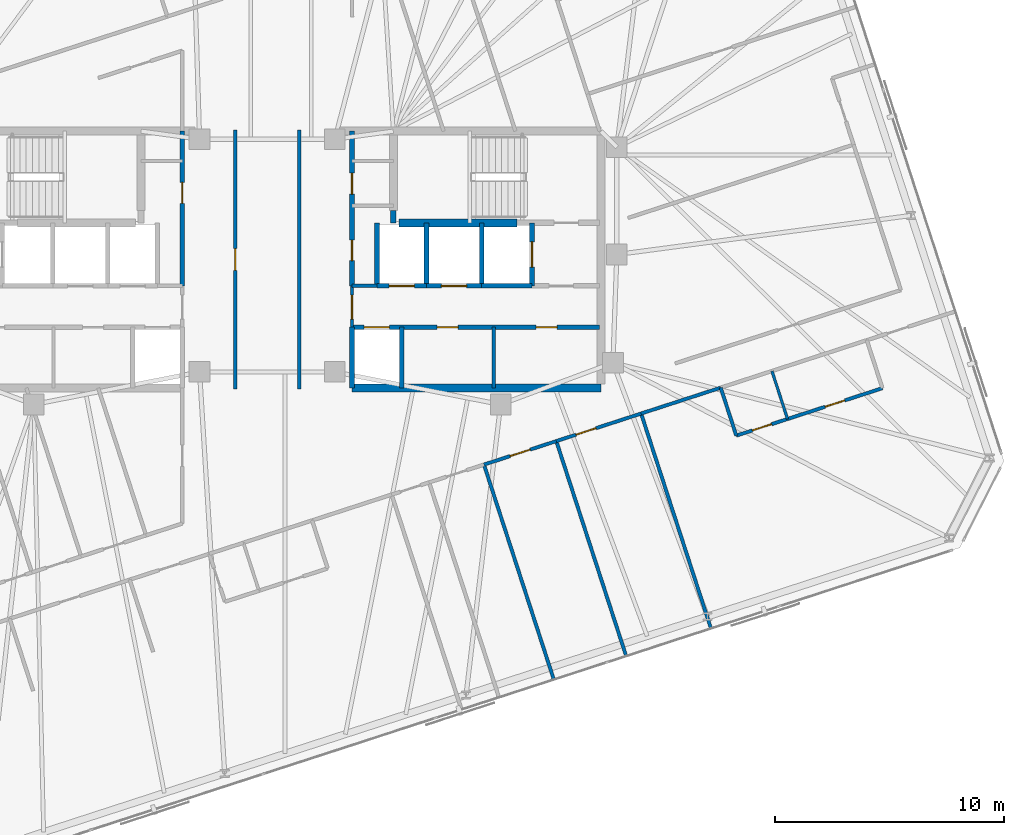
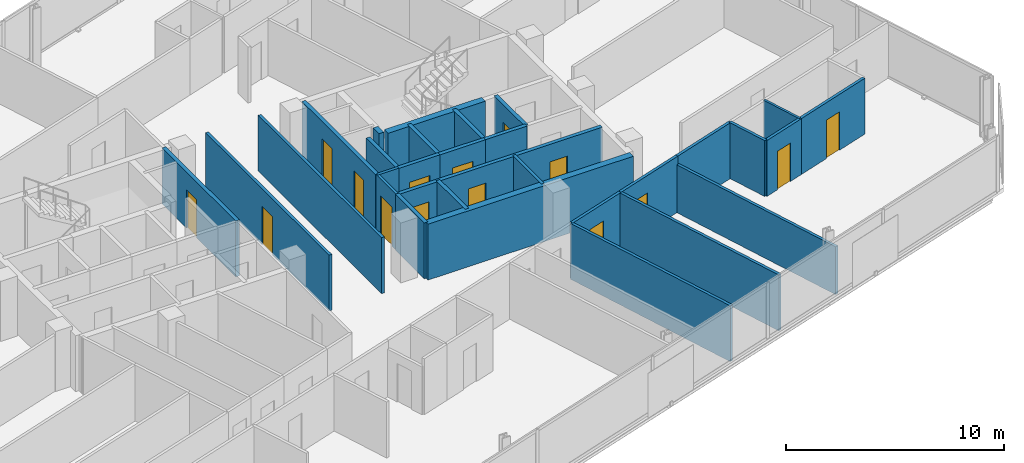
# One storey, part 15 of 19: 30 walls, 15 doors, 15 openings.
"""IFC4 building model written with IfcOpenShell, lengths in metres."""

from ifc_helpers import new_model, si_unit, direction, frame, frame_2d, origin, place, context, subcontext, project, spatial, rectangle, extrude, material, layer, layer_set, type_object, element, fill, save


model = new_model("IFC4")

# Units and contexts
model_context = context("Model", 3, precision=1e-05, world=origin(), true_north=direction((0.0, 1.0)))
body_context = subcontext(model_context, "Body", "Model", "MODEL_VIEW")
ifc_project = project(units=[si_unit("LENGTHUNIT", "METRE"), si_unit("AREAUNIT", "SQUARE_METRE"), si_unit("VOLUMEUNIT", "CUBIC_METRE"), si_unit("PLANEANGLEUNIT", "RADIAN"), si_unit("MASSUNIT", "GRAM", prefix="KILO")], contexts=[model_context])

# Site, building, storey
site_placement = place(None, origin())
site = spatial("IfcSite", under=ifc_project, at=site_placement, CompositionType="ELEMENT")
building_placement = place(site_placement, origin())
building = spatial("IfcBuilding", under=site, at=building_placement, Name="Menara Jurai Vektor", CompositionType="ELEMENT")
storey_placement = place(building_placement, frame((0.0, 0.0, 214.25)))
storey = spatial("IfcBuildingStorey", under=building, at=storey_placement, Name="L56", CompositionType="ELEMENT", Elevation=214.25)

# Wall
ifc_material_1 = material(Name="Concrete C40/50", Category="concrete")
ifc_layer_1 = layer(ifc_material_1, 0.25)
ifc_layer_set_1 = layer_set([ifc_layer_1], Name="Concrete C40/50")
wall_type_1 = type_object("IfcWallType", Name="INT-WALL-CORE-250", PredefinedType="STANDARD", material=ifc_layer_set_1)
wall_1_placement = place(storey_placement, frame((5.5, 1.60009765625, 0.0), z_axis=(0.0, 0.0, 1.0), x_axis=(0.0, 1.0, 0.0)))
element("IfcWall", 1, at=wall_1_placement, inside=storey, type_object=wall_type_1, Name="Interior Wall IW-250 L56", PredefinedType="STANDARD", context=body_context, shape_type="SweptSolid", body=[
    extrude(rectangle(XDim=0.5498046875, YDim=0.25, at=frame_2d((0.27490234375, 0.0))), origin(), (0.0, 0.0, 1.0), 3.125),
])

# Wall, opening, door
wall_2_placement = place(storey_placement, frame((11.550048828125, -1.14990234375, 0.0), z_axis=(0.0, 0.0, 1.0), x_axis=(0.0, 1.0, 0.0)))
wall_2 = element("IfcWall", 2, at=wall_2_placement, inside=storey, type_object=wall_type_1, Name="Interior Wall IW-250 L56", PredefinedType="STANDARD", context=body_context, shape_type="SweptSolid", body=[
    extrude(rectangle(XDim=2.75, YDim=0.199951171875, at=frame_2d((1.375, 0.0))), origin(), (0.0, 0.0, 1.0), 3.125),
])
opening_1_placement = place(wall_2_placement, frame((0.824951171875, 0.0, 0.0)))
opening_1 = element("IfcOpeningElement", 3, at=opening_1_placement, cuts=wall_2, Name="Opening LD-L56-FL2", PredefinedType="OPENING", context=body_context, shape_type="SweptSolid", body=[
    extrude(rectangle(XDim=1.10009765625, YDim=2.14990234375, at=frame_2d((0.550048828125, 1.074951171875))), frame((0.0, 0.10986328125, 0.0), z_axis=(0.0, -1.0, 0.0), x_axis=(1.0, 0.0, 0.0)), (0.0, 0.0, 1.0), 0.219970703125),
])
ifc_material_2 = material(Name="Stainless Steel Sliding Lift Landing Door", Category="steel")
door_type_1 = type_object("IfcDoorType", Name="DR-LIFT-FIRE-1100", OperationType="NOTDEFINED", PredefinedType="DOOR", material=ifc_material_2)
door_1_placement = place(opening_1_placement, origin())
door_1 = element("IfcDoor", 4, at=door_1_placement, inside=storey, type_object=door_type_1, Name="Lift Landing Door FL2 L56", OperationType="SLIDING_TO_RIGHT", OverallHeight=2.14990234375, OverallWidth=1.10009765625, PredefinedType="DOOR", context=body_context, shape_type="SweptSolid", body=[
    extrude(rectangle(XDim=1.10009765625, YDim=2.14990234375, at=frame_2d((0.550048828125, 1.074951171875))), frame((0.0, 0.02490234375, 0.0), z_axis=(0.0, -1.0, 0.0), x_axis=(1.0, 0.0, 0.0)), (0.0, 0.0, 1.0), 0.050048828125),
])
fill(opening_1, door_1)

# Walls
wall_3_placement = place(storey_placement, frame((9.35009765625, -1.14990234375, 0.0), z_axis=(0.0, 0.0, 1.0), x_axis=(0.0, 1.0, 0.0)))
element("IfcWall", 5, at=wall_3_placement, inside=storey, type_object=wall_type_1, Name="Interior Wall IW-250 L56", PredefinedType="STANDARD", context=body_context, shape_type="SweptSolid", body=[
    extrude(rectangle(XDim=2.75, YDim=0.199951171875, at=frame_2d((1.375, 0.0))), origin(), (0.0, 0.0, 1.0), 3.125),
])
wall_4_placement = place(storey_placement, frame((9.35009765625, -1.14990234375, 0.0), z_axis=(0.0, 0.0, 1.0), x_axis=(1.0, 0.0, 0.0)))
element("IfcWall", 6, at=wall_4_placement, inside=storey, type_object=wall_type_1, Name="Interior Wall IW-250 L56", PredefinedType="STANDARD", context=body_context, shape_type="SweptSolid", body=[
    extrude(rectangle(XDim=2.199951171875, YDim=0.199951171875, at=frame_2d((1.10009765625, 0.0))), origin(), (0.0, 0.0, 1.0), 3.125),
])

# Wall, opening, door
ifc_material_3 = material(Name="Gypsum Fireboard Partition", Category="gypsum")
ifc_layer_2 = layer(ifc_material_3, 0.14990234375)
ifc_layer_set_2 = layer_set([ifc_layer_2], Name="Gypsum Fireboard Partition")
wall_type_2 = type_object("IfcWallType", Name="INT-WALL-CORR-150", PredefinedType="PARTITIONING", material=ifc_layer_set_2)
wall_5_placement = place(storey_placement, frame((3.699951171875, -2.949951171875, 0.0), z_axis=(0.0, 0.0, 1.0), x_axis=(0.0, 1.0, 0.0)))
wall_5 = element("IfcWall", 7, at=wall_5_placement, inside=storey, type_object=wall_type_2, Name="Interior Wall IW-150 L56", PredefinedType="PARTITIONING", context=body_context, shape_type="SweptSolid", body=[
    extrude(rectangle(XDim=1.800048828125, YDim=0.14990234375, at=frame_2d((0.89990234375, 0.0))), origin(), (0.0, 0.0, 1.0), 3.125),
])
opening_2_placement = place(wall_5_placement, frame((0.35009765625, 0.0, 0.0)))
opening_2 = element("IfcOpeningElement", 8, at=opening_2_placement, cuts=wall_5, Name="Opening D-L56-LLE", PredefinedType="OPENING", context=body_context, shape_type="SweptSolid", body=[
    extrude(rectangle(XDim=1.050048828125, YDim=2.179931640625, at=frame_2d((0.52490234375, 1.08984375))), frame((0.0, 0.0849609375, 0.0), z_axis=(0.0, -1.0, 0.0), x_axis=(1.0, 0.0, 0.0)), (0.0, 0.0, 1.0), 0.169921875),
])
ifc_material_4 = material(Name="Fire-Rated Timber Door", Category="wood")
door_type_2 = type_object("IfcDoorType", Name="DR-LOBBY-1050", OperationType="NOTDEFINED", PredefinedType="DOOR", material=ifc_material_4)
door_2_placement = place(opening_2_placement, frame((1.050048828125, 0.0, 0.0), z_axis=(0.0, 0.0, 1.0), x_axis=(-1.0, 0.0, 0.0)))
door_2 = element("IfcDoor", 9, at=door_2_placement, inside=storey, type_object=door_type_2, Name="Lift Lobby Corridor Door E L56", OperationType="SINGLE_SWING_RIGHT", OverallHeight=2.179931640625, OverallWidth=1.050048828125, PredefinedType="DOOR", context=body_context, shape_type="SweptSolid", body=[
    extrude(rectangle(XDim=1.050048828125, YDim=2.179931640625, at=frame_2d((0.52490234375, 1.08984375))), frame((0.0, 0.02490234375, 0.0), z_axis=(0.0, -1.0, 0.0), x_axis=(1.0, 0.0, 0.0)), (0.0, 0.0, 1.0), 0.050048828125),
])
fill(opening_2, door_2)

# Walls
wall_6_placement = place(storey_placement, frame((3.699951171875, -1.14990234375, 0.0), z_axis=(0.0, 0.0, 1.0), x_axis=(1.0, 0.0, 0.0)))
element("IfcWall", 10, at=wall_6_placement, inside=storey, type_object=wall_type_2, Name="Interior Wall IW-150 L56", PredefinedType="PARTITIONING", context=body_context, shape_type="SweptSolid", body=[
    extrude(rectangle(XDim=1.090087890625, YDim=0.14990234375, at=frame_2d((0.544921875, 0.0))), origin(), (0.0, 0.0, 1.0), 3.125),
])
wall_7_placement = place(storey_placement, frame((9.8798828125, -5.60009765625, 0.0), z_axis=(0.0, 0.0, 1.0), x_axis=(0.0, 1.0, 0.0)))
element("IfcWall", 11, at=wall_7_placement, inside=storey, type_object=wall_type_2, Name="Interior Wall IW-150 L56", PredefinedType="PARTITIONING", context=body_context, shape_type="SweptSolid", body=[
    extrude(rectangle(XDim=2.650146484375, YDim=0.14990234375, at=frame_2d((1.3251953125, 0.0))), origin(), (0.0, 0.0, 1.0), 3.125),
])

# Wall, opening, door
wall_8_placement = place(storey_placement, frame((-1.390625, -5.650146484375, 0.0), z_axis=(0.0, 0.0, 1.0), x_axis=(-8.6422954e-05, 0.999999996266, 0.0)))
wall_8 = element("IfcWall", 12, at=wall_8_placement, inside=storey, type_object=wall_type_2, Name="Interior Wall IW-150 L56", PredefinedType="PARTITIONING", context=body_context, shape_type="SweptSolid", body=[
    extrude(rectangle(XDim=11.2998046875, YDim=0.14990234375, at=frame_2d((5.64990234375, 0.0))), origin(), (0.0, 0.0, 1.0), 3.125),
])
opening_3_placement = place(wall_8_placement, frame((5.1748046875, 0.0, 0.0)))
opening_3 = element("IfcOpeningElement", 13, at=opening_3_placement, cuts=wall_8, Name="Opening D56-08", PredefinedType="OPENING", context=body_context, shape_type="SweptSolid", body=[
    extrude(rectangle(XDim=0.949951171875, YDim=2.14990234375, at=frame_2d((0.47509765625, 1.074951171875))), frame((0.0, 0.0849609375, 0.0), z_axis=(0.0, -1.0, 0.0), x_axis=(1.0, 0.0, 0.0)), (0.0, 0.0, 1.0), 0.169921875),
])
ifc_material_5 = material(Name="Solid Core Timber Fire Door", Category="wood")
door_type_3 = type_object("IfcDoorType", Name="DR-ENTRY-950", OperationType="NOTDEFINED", PredefinedType="DOOR", material=ifc_material_5)
door_3_placement = place(opening_3_placement, origin())
door_3 = element("IfcDoor", 14, at=door_3_placement, inside=storey, type_object=door_type_3, Name="Interior Door D56-08", OperationType="SINGLE_SWING_LEFT", OverallHeight=2.14990234375, OverallWidth=0.949951171875, PredefinedType="DOOR", context=body_context, shape_type="SweptSolid", body=[
    extrude(rectangle(XDim=0.949951171875, YDim=2.14990234375, at=frame_2d((0.47509765625, 1.074951171875))), frame((0.0, 0.02490234375, 0.0), z_axis=(0.0, -1.0, 0.0), x_axis=(1.0, 0.0, 0.0)), (0.0, 0.0, 1.0), 0.050048828125),
])
fill(opening_3, door_3)

# Walls
wall_9_placement = place(storey_placement, frame((1.39111328125, -5.6484375, 0.0), z_axis=(0.0, 0.0, 1.0), x_axis=(-4.3218947e-05, 0.999999999066, 0.0)))
element("IfcWall", 15, at=wall_9_placement, inside=storey, type_object=wall_type_2, Name="Interior Wall IW-150 L56", PredefinedType="PARTITIONING", context=body_context, shape_type="SweptSolid", body=[
    extrude(rectangle(XDim=11.2978515625, YDim=0.14990234375, at=frame_2d((5.64892578125, 0.0))), origin(), (0.0, 0.0, 1.0), 3.125),
])
wall_10_placement = place(storey_placement, frame((16.308837890625, -6.7158203125, 0.0), z_axis=(0.0, 0.0, 1.0), x_axis=(0.951057168147, 0.309014988174, 0.0)))
element("IfcWall", 16, at=wall_10_placement, inside=storey, type_object=wall_type_2, Name="Interior Wall IW-150 L56", PredefinedType="PARTITIONING", context=body_context, shape_type="SweptSolid", body=[
    extrude(rectangle(XDim=3.650146484375, YDim=0.14990234375, at=frame_2d((1.8251953125, 0.0))), origin(), (0.0, 0.0, 1.0), 3.125),
])

# Wall, opening, door
wall_11_placement = place(storey_placement, frame((9.45458984375, -8.94287109375, 0.0), z_axis=(0.0, 0.0, 1.0), x_axis=(0.951069760241, 0.30897623073, 0.0)))
wall_11 = element("IfcWall", 17, at=wall_11_placement, inside=storey, type_object=wall_type_2, Name="Interior Wall IW-150 L56", PredefinedType="PARTITIONING", context=body_context, shape_type="SweptSolid", body=[
    extrude(rectangle(XDim=3.317138671875, YDim=0.14990234375, at=frame_2d((1.65869140625, 0.0))), origin(), (0.0, 0.0, 1.0), 3.125),
])
opening_4_placement = place(wall_11_placement, frame((1.198486328125, 0.0, 0.0)))
opening_4 = element("IfcOpeningElement", 18, at=opening_4_placement, cuts=wall_11, Name="Opening D56-33", PredefinedType="OPENING", context=body_context, shape_type="SweptSolid", body=[
    extrude(rectangle(XDim=0.919921875, YDim=2.14990234375, at=frame_2d((0.4599609375, 1.074951171875))), frame((0.0, 0.0849609375, 0.0), z_axis=(0.0, -1.0, 0.0), x_axis=(1.0, 0.0, 0.0)), (0.0, 0.0, 1.0), 0.169921875),
])
door_4_placement = place(opening_4_placement, origin())
door_4 = element("IfcDoor", 19, at=door_4_placement, inside=storey, type_object=door_type_3, Name="Interior Door D56-33", OperationType="SINGLE_SWING_RIGHT", OverallHeight=2.14990234375, OverallWidth=0.919921875, PredefinedType="DOOR", context=body_context, shape_type="SweptSolid", body=[
    extrude(rectangle(XDim=0.919921875, YDim=2.14990234375, at=frame_2d((0.4599609375, 1.074951171875))), frame((0.0, 0.02490234375, 0.0), z_axis=(0.0, -1.0, 0.0), x_axis=(1.0, 0.0, 0.0)), (0.0, 0.0, 1.0), 0.050048828125),
])
fill(opening_4, door_4)

wall_12_placement = place(storey_placement, frame((12.609375, -7.91796875, 0.0), z_axis=(0.0, 0.0, 1.0), x_axis=(0.951047443558, 0.309044915995, 0.0)))
wall_12 = element("IfcWall", 20, at=wall_12_placement, inside=storey, type_object=wall_type_2, Name="Interior Wall IW-150 L56", PredefinedType="PARTITIONING", context=body_context, shape_type="SweptSolid", body=[
    extrude(rectangle(XDim=3.889892578125, YDim=0.14990234375, at=frame_2d((1.94482421875, 0.0))), origin(), (0.0, 0.0, 1.0), 3.125),
])
opening_5_placement = place(wall_12_placement, frame((0.901611328125, 0.0, 0.0)))
opening_5 = element("IfcOpeningElement", 21, at=opening_5_placement, cuts=wall_12, Name="Opening D56-34", PredefinedType="OPENING", context=body_context, shape_type="SweptSolid", body=[
    extrude(rectangle(XDim=0.919921875, YDim=2.14990234375, at=frame_2d((0.4599609375, 1.074951171875))), frame((0.0, 0.0849609375, 0.0), z_axis=(0.0, -1.0, 0.0), x_axis=(1.0, 0.0, 0.0)), (0.0, 0.0, 1.0), 0.169921875),
])
door_5_placement = place(opening_5_placement, origin())
door_5 = element("IfcDoor", 22, at=door_5_placement, inside=storey, type_object=door_type_3, Name="Interior Door D56-34", OperationType="SINGLE_SWING_LEFT", OverallHeight=2.14990234375, OverallWidth=0.919921875, PredefinedType="DOOR", context=body_context, shape_type="SweptSolid", body=[
    extrude(rectangle(XDim=0.919921875, YDim=2.14990234375, at=frame_2d((0.4599609375, 1.074951171875))), frame((0.0, 0.02490234375, 0.0), z_axis=(0.0, -1.0, 0.0), x_axis=(1.0, 0.0, 0.0)), (0.0, 0.0, 1.0), 0.050048828125),
])
fill(opening_5, door_5)

# Wall
wall_13_placement = place(storey_placement, frame((20.460205078125, -7.68017578125, 0.0), z_axis=(0.0, 0.0, 1.0), x_axis=(-0.309060979314, 0.951042223598, 0.0)))
element("IfcWall", 23, at=wall_13_placement, inside=storey, type_object=wall_type_2, Name="Interior Wall IW-150 L56", PredefinedType="PARTITIONING", context=body_context, shape_type="SweptSolid", body=[
    extrude(rectangle(XDim=2.199951171875, YDim=0.14990234375, at=frame_2d((1.10009765625, 0.0))), origin(), (0.0, 0.0, 1.0), 3.125),
])

# Wall, opening, door
wall_14_placement = place(storey_placement, frame((20.460205078125, -7.68017578125, 0.0), z_axis=(0.0, 0.0, 1.0), x_axis=(0.951066131077, 0.308987401554, 0.0)))
wall_14 = element("IfcWall", 24, at=wall_14_placement, inside=storey, type_object=wall_type_2, Name="Interior Wall IW-150 L56", PredefinedType="PARTITIONING", context=body_context, shape_type="SweptSolid", body=[
    extrude(rectangle(XDim=2.349853515625, YDim=0.14990234375, at=frame_2d((1.1748046875, 0.0))), origin(), (0.0, 0.0, 1.0), 3.125),
])
opening_6_placement = place(wall_14_placement, frame((0.735107421875, 0.0, 0.0)))
opening_6 = element("IfcOpeningElement", 25, at=opening_6_placement, cuts=wall_14, Name="Opening D56-22", PredefinedType="OPENING", context=body_context, shape_type="SweptSolid", body=[
    extrude(rectangle(XDim=0.8798828125, YDim=2.14990234375, at=frame_2d((0.43994140625, 1.074951171875))), frame((0.0, 0.0849609375, 0.0), z_axis=(0.0, -1.0, 0.0), x_axis=(1.0, 0.0, 0.0)), (0.0, 0.0, 1.0), 0.169921875),
])
ifc_material_6 = material(Name="Moisture-Resistant Timber Door", Category="wood")
door_type_4 = type_object("IfcDoorType", Name="DR-BATH-880", OperationType="NOTDEFINED", PredefinedType="DOOR", material=ifc_material_6)
door_6_placement = place(opening_6_placement, origin())
door_6 = element("IfcDoor", 26, at=door_6_placement, inside=storey, type_object=door_type_4, Name="Interior Door D56-22", OperationType="SINGLE_SWING_LEFT", OverallHeight=2.14990234375, OverallWidth=0.8798828125, PredefinedType="DOOR", context=body_context, shape_type="SweptSolid", body=[
    extrude(rectangle(XDim=0.8798828125, YDim=2.14990234375, at=frame_2d((0.43994140625, 1.074951171875))), frame((0.0, 0.02490234375, 0.0), z_axis=(0.0, -1.0, 0.0), x_axis=(1.0, 0.0, 0.0)), (0.0, 0.0, 1.0), 0.050048828125),
])
fill(opening_6, door_6)

wall_15_placement = place(storey_placement, frame((22.695068359375, -6.9541015625, 0.0), z_axis=(0.0, 0.0, 1.0), x_axis=(0.951057987102, 0.309012467661, 0.0)))
wall_15 = element("IfcWall", 27, at=wall_15_placement, inside=storey, type_object=wall_type_2, Name="Interior Wall IW-150 L56", PredefinedType="PARTITIONING", context=body_context, shape_type="SweptSolid", body=[
    extrude(rectangle(XDim=4.35009765625, YDim=0.14990234375, at=frame_2d((2.175048828125, 0.0))), origin(), (0.0, 0.0, 1.0), 3.125),
])
opening_7_placement = place(wall_15_placement, frame((1.72509765625, 0.0, 0.0)))
opening_7 = element("IfcOpeningElement", 28, at=opening_7_placement, cuts=wall_15, Name="Opening D56-23", PredefinedType="OPENING", context=body_context, shape_type="SweptSolid", body=[
    extrude(rectangle(XDim=0.89990234375, YDim=2.14990234375, at=frame_2d((0.449951171875, 1.074951171875))), frame((0.0, 0.0849609375, 0.0), z_axis=(0.0, -1.0, 0.0), x_axis=(1.0, 0.0, 0.0)), (0.0, 0.0, 1.0), 0.169921875),
])
ifc_material_7 = material(Name="Acoustic Timber Interior Door", Category="wood")
door_type_5 = type_object("IfcDoorType", Name="DR-ROOM-900", OperationType="NOTDEFINED", PredefinedType="DOOR", material=ifc_material_7)
door_7_placement = place(opening_7_placement, origin())
door_7 = element("IfcDoor", 29, at=door_7_placement, inside=storey, type_object=door_type_5, Name="Interior Door D56-23", OperationType="SINGLE_SWING_RIGHT", OverallHeight=2.14990234375, OverallWidth=0.89990234375, PredefinedType="DOOR", context=body_context, shape_type="SweptSolid", body=[
    extrude(rectangle(XDim=0.89990234375, YDim=2.14990234375, at=frame_2d((0.449951171875, 1.074951171875))), frame((0.0, 0.02490234375, 0.0), z_axis=(0.0, -1.0, 0.0), x_axis=(1.0, 0.0, 0.0)), (0.0, 0.0, 1.0), 0.050048828125),
])
fill(opening_7, door_7)

# Walls
wall_16_placement = place(storey_placement, frame((12.502197265625, -18.322265625, 0.0), z_axis=(0.0, 0.0, 1.0), x_axis=(-0.309022258842, 0.95105480575, 0.0)))
element("IfcWall", 30, at=wall_16_placement, inside=storey, type_object=wall_type_2, Name="Interior Wall IW-150 L56", PredefinedType="PARTITIONING", context=body_context, shape_type="SweptSolid", body=[
    extrude(rectangle(XDim=9.862060546875, YDim=0.14990234375, at=frame_2d((4.93115234375, 0.0))), origin(), (0.0, 0.0, 1.0), 3.125),
])
wall_17_placement = place(storey_placement, frame((15.656982421875, -17.297119140625, 0.0), z_axis=(0.0, 0.0, 1.0), x_axis=(-0.309029534558, 0.951052441651, 0.0)))
element("IfcWall", 31, at=wall_17_placement, inside=storey, type_object=wall_type_2, Name="Interior Wall IW-150 L56", PredefinedType="PARTITIONING", context=body_context, shape_type="SweptSolid", body=[
    extrude(rectangle(XDim=9.86181640625, YDim=0.14990234375, at=frame_2d((4.930908203125, 0.0))), origin(), (0.0, 0.0, 1.0), 3.125),
])
ifc_layer_3 = layer(ifc_material_3, 0.14990234375)
ifc_layer_set_3 = layer_set([ifc_layer_3], Name="Gypsum Fireboard Partition")
wall_type_3 = type_object("IfcWallType", Name="INT-WALL-CORR-150-H1", PredefinedType="PARTITIONING", material=ifc_layer_set_3)
wall_18_placement = place(storey_placement, frame((19.3564453125, -16.09521484375, 0.0), z_axis=(0.0, 0.0, 1.0), x_axis=(-0.309022258842, 0.95105480575, 0.0)))
element("IfcWall", 32, at=wall_18_placement, inside=storey, type_object=wall_type_3, Name="Interior Wall IW-150 L56", PredefinedType="PARTITIONING", context=body_context, shape_type="SweptSolid", body=[
    extrude(rectangle(XDim=9.862060546875, YDim=0.14990234375, at=frame_2d((4.93115234375, 0.0))), origin(), (0.0, 0.0, 1.0), 2.675048828125),
])
ifc_material_8 = material(Name="Gypsum Acoustic Stud Partition", Category="gypsum")
ifc_layer_4 = layer(ifc_material_8, 0.1201171875)
ifc_layer_set_4 = layer_set([ifc_layer_4], Name="Gypsum Acoustic Stud Partition")
wall_type_4 = type_object("IfcWallType", Name="INT-WALL-PART-120", PredefinedType="PARTITIONING", material=ifc_layer_set_4)
wall_19_placement = place(storey_placement, frame((22.695068359375, -6.9541015625, 0.0), z_axis=(0.0, 0.0, 1.0), x_axis=(-0.308960600764, 0.951074837842, 0.0)))
element("IfcWall", 33, at=wall_19_placement, inside=storey, type_object=wall_type_4, Name="Interior Wall IW-120 L56", PredefinedType="PARTITIONING", context=body_context, shape_type="SweptSolid", body=[
    extrude(rectangle(XDim=2.199951171875, YDim=0.1201171875, at=frame_2d((1.10009765625, 0.0))), origin(), (0.0, 0.0, 1.0), 3.125),
])

# Wall, opening, door
ifc_layer_5 = layer(ifc_material_1, 0.199951171875)
ifc_layer_set_5 = layer_set([ifc_layer_5], Name="Concrete C40/50")
wall_type_5 = type_object("IfcWallType", Name="INT-WALL-SHAFT-200", PredefinedType="STANDARD", material=ifc_layer_set_5)
wall_20_placement = place(storey_placement, frame((-3.699951171875, -1.14990234375, 0.0), z_axis=(0.0, 0.0, 1.0), x_axis=(0.0, 1.0, 0.0)))
wall_20 = element("IfcWall", 34, at=wall_20_placement, inside=storey, type_object=wall_type_5, Name="Interior Wall IW-200 L56", PredefinedType="STANDARD", context=body_context, shape_type="SweptSolid", body=[
    extrude(rectangle(XDim=6.75, YDim=0.199951171875, at=frame_2d((3.375, 0.0))), origin(), (0.0, 0.0, 1.0), 3.125),
])
opening_8_placement = place(wall_20_placement, frame((3.60009765625, 0.0, 0.0)))
opening_8 = element("IfcOpeningElement", 35, at=opening_8_placement, cuts=wall_20, Name="Opening D56-03", PredefinedType="OPENING", context=body_context, shape_type="SweptSolid", body=[
    extrude(rectangle(XDim=0.919921875, YDim=2.14990234375, at=frame_2d((0.4599609375, 1.074951171875))), frame((0.0, 0.10986328125, 0.0), z_axis=(0.0, -1.0, 0.0), x_axis=(1.0, 0.0, 0.0)), (0.0, 0.0, 1.0), 0.219970703125),
])
door_8_placement = place(opening_8_placement, origin())
door_8 = element("IfcDoor", 36, at=door_8_placement, inside=storey, type_object=door_type_3, Name="Interior Door D56-03", OperationType="SINGLE_SWING_LEFT", OverallHeight=2.14990234375, OverallWidth=0.919921875, PredefinedType="DOOR", context=body_context, shape_type="SweptSolid", body=[
    extrude(rectangle(XDim=0.919921875, YDim=2.14990234375, at=frame_2d((0.4599609375, 1.074951171875))), frame((0.0, 0.02490234375, 0.0), z_axis=(0.0, -1.0, 0.0), x_axis=(1.0, 0.0, 0.0)), (0.0, 0.0, 1.0), 0.050048828125),
])
fill(opening_8, door_8)

# Wall, openings, doors
wall_21_placement = place(storey_placement, frame((3.699951171875, -1.14990234375, 0.0), z_axis=(0.0, 0.0, 1.0), x_axis=(0.0, 1.0, 0.0)))
wall_21 = element("IfcWall", 37, at=wall_21_placement, inside=storey, type_object=wall_type_5, Name="Interior Wall IW-200 L56", PredefinedType="STANDARD", context=body_context, shape_type="SweptSolid", body=[
    extrude(rectangle(XDim=6.75, YDim=0.199951171875, at=frame_2d((3.375, 0.0))), origin(), (0.0, 0.0, 1.0), 3.125),
])
opening_9_placement = place(wall_21_placement, frame((1.10009765625, 0.0, 0.0)))
opening_9 = element("IfcOpeningElement", 38, at=opening_9_placement, cuts=wall_21, Name="Opening D56-06", PredefinedType="OPENING", context=body_context, shape_type="SweptSolid", body=[
    extrude(rectangle(XDim=0.89990234375, YDim=2.14990234375, at=frame_2d((0.449951171875, 1.074951171875))), frame((0.0, 0.10986328125, 0.0), z_axis=(0.0, -1.0, 0.0), x_axis=(1.0, 0.0, 0.0)), (0.0, 0.0, 1.0), 0.219970703125),
])
opening_10_placement = place(wall_21_placement, frame((4.0, 0.0, 0.0)))
opening_10 = element("IfcOpeningElement", 39, at=opening_10_placement, cuts=wall_21, Name="Opening D56-07", PredefinedType="OPENING", context=body_context, shape_type="SweptSolid", body=[
    extrude(rectangle(XDim=0.919921875, YDim=2.14990234375, at=frame_2d((0.4599609375, 1.074951171875))), frame((0.0, 0.10986328125, 0.0), z_axis=(0.0, -1.0, 0.0), x_axis=(1.0, 0.0, 0.0)), (0.0, 0.0, 1.0), 0.219970703125),
])
door_9_placement = place(opening_9_placement, origin())
door_9 = element("IfcDoor", 40, at=door_9_placement, inside=storey, type_object=door_type_3, Name="Interior Door D56-06", OperationType="SINGLE_SWING_RIGHT", OverallHeight=2.14990234375, OverallWidth=0.89990234375, PredefinedType="DOOR", context=body_context, shape_type="SweptSolid", body=[
    extrude(rectangle(XDim=0.89990234375, YDim=2.14990234375, at=frame_2d((0.449951171875, 1.074951171875))), frame((0.0, 0.02490234375, 0.0), z_axis=(0.0, -1.0, 0.0), x_axis=(1.0, 0.0, 0.0)), (0.0, 0.0, 1.0), 0.050048828125),
])
fill(opening_9, door_9)
door_10_placement = place(opening_10_placement, origin())
door_10 = element("IfcDoor", 41, at=door_10_placement, inside=storey, type_object=door_type_3, Name="Interior Door D56-07", OperationType="SINGLE_SWING_RIGHT", OverallHeight=2.14990234375, OverallWidth=0.919921875, PredefinedType="DOOR", context=body_context, shape_type="SweptSolid", body=[
    extrude(rectangle(XDim=0.919921875, YDim=2.14990234375, at=frame_2d((0.4599609375, 1.074951171875))), frame((0.0, 0.02490234375, 0.0), z_axis=(0.0, -1.0, 0.0), x_axis=(1.0, 0.0, 0.0)), (0.0, 0.0, 1.0), 0.050048828125),
])
fill(opening_10, door_10)

# Walls
wall_22_placement = place(storey_placement, frame((3.699951171875, -5.60009765625, 0.0), z_axis=(0.0, 0.0, 1.0), x_axis=(0.0, 1.0, 0.0)))
element("IfcWall", 42, at=wall_22_placement, inside=storey, type_object=wall_type_5, Name="Interior Wall IW-200 L56", PredefinedType="STANDARD", context=body_context, shape_type="SweptSolid", body=[
    extrude(rectangle(XDim=2.650146484375, YDim=0.199951171875, at=frame_2d((1.3251953125, 0.0))), origin(), (0.0, 0.0, 1.0), 3.125),
])
wall_23_placement = place(storey_placement, frame((6.949951171875, -1.14990234375, 0.0), z_axis=(0.0, 0.0, 1.0), x_axis=(0.0, 1.0, 0.0)))
element("IfcWall", 43, at=wall_23_placement, inside=storey, type_object=wall_type_5, Name="Interior Wall IW-200 L56", PredefinedType="STANDARD", context=body_context, shape_type="SweptSolid", body=[
    extrude(rectangle(XDim=2.75, YDim=0.199951171875, at=frame_2d((1.375, 0.0))), origin(), (0.0, 0.0, 1.0), 3.125),
])

# Wall, opening, door
wall_24_placement = place(storey_placement, frame((6.949951171875, -1.14990234375, 0.0), z_axis=(0.0, 0.0, 1.0), x_axis=(1.0, 0.0, 0.0)))
wall_24 = element("IfcWall", 44, at=wall_24_placement, inside=storey, type_object=wall_type_5, Name="Interior Wall IW-200 L56", PredefinedType="STANDARD", context=body_context, shape_type="SweptSolid", body=[
    extrude(rectangle(XDim=2.400146484375, YDim=0.199951171875, at=frame_2d((1.2001953125, 0.0))), origin(), (0.0, 0.0, 1.0), 3.125),
])
opening_11_placement = place(wall_24_placement, frame((0.64990234375, 0.0, 0.0)))
opening_11 = element("IfcOpeningElement", 45, at=opening_11_placement, cuts=wall_24, Name="Opening LD-L56-SVL2", PredefinedType="OPENING", context=body_context, shape_type="SweptSolid", body=[
    extrude(rectangle(XDim=1.10009765625, YDim=2.14990234375, at=frame_2d((0.550048828125, 1.074951171875))), frame((0.0, 0.10986328125, 0.0), z_axis=(0.0, -1.0, 0.0), x_axis=(1.0, 0.0, 0.0)), (0.0, 0.0, 1.0), 0.219970703125),
])
ifc_material_9 = material(Name="Anodised Stainless Sliding Lift Landing Door", Category="steel")
door_type_6 = type_object("IfcDoorType", Name="DR-LIFT-PASS-1100", OperationType="NOTDEFINED", PredefinedType="DOOR", material=ifc_material_9)
door_11_placement = place(opening_11_placement, origin())
door_11 = element("IfcDoor", 46, at=door_11_placement, inside=storey, type_object=door_type_6, Name="Lift Landing Door SVL2 L56", OperationType="SLIDING_TO_RIGHT", OverallHeight=2.14990234375, OverallWidth=1.10009765625, PredefinedType="DOOR", context=body_context, shape_type="SweptSolid", body=[
    extrude(rectangle(XDim=1.10009765625, YDim=2.14990234375, at=frame_2d((0.550048828125, 1.074951171875))), frame((0.0, 0.02490234375, 0.0), z_axis=(0.0, -1.0, 0.0), x_axis=(1.0, 0.0, 0.0)), (0.0, 0.0, 1.0), 0.050048828125),
])
fill(opening_11, door_11)

# Wall
wall_25_placement = place(storey_placement, frame((4.7900390625, -1.14990234375, 0.0), z_axis=(0.0, 0.0, 1.0), x_axis=(0.0, 1.0, 0.0)))
element("IfcWall", 47, at=wall_25_placement, inside=storey, type_object=wall_type_5, Name="Interior Wall IW-200 L56", PredefinedType="STANDARD", context=body_context, shape_type="SweptSolid", body=[
    extrude(rectangle(XDim=2.75, YDim=0.199951171875, at=frame_2d((1.375, 0.0))), origin(), (0.0, 0.0, 1.0), 3.125),
])

# Wall, opening, door
wall_26_placement = place(storey_placement, frame((4.7900390625, -1.14990234375, 0.0), z_axis=(0.0, 0.0, 1.0), x_axis=(1.0, 0.0, 0.0)))
wall_26 = element("IfcWall", 48, at=wall_26_placement, inside=storey, type_object=wall_type_5, Name="Interior Wall IW-200 L56", PredefinedType="STANDARD", context=body_context, shape_type="SweptSolid", body=[
    extrude(rectangle(XDim=2.159912109375, YDim=0.199951171875, at=frame_2d((1.080078125, 0.0))), origin(), (0.0, 0.0, 1.0), 3.125),
])
opening_12_placement = place(wall_26_placement, frame((0.530029296875, 0.0, 0.0)))
opening_12 = element("IfcOpeningElement", 49, at=opening_12_placement, cuts=wall_26, Name="Opening LD-L56-PH4", PredefinedType="OPENING", context=body_context, shape_type="SweptSolid", body=[
    extrude(rectangle(XDim=1.10009765625, YDim=2.14990234375, at=frame_2d((0.550048828125, 1.074951171875))), frame((0.0, 0.10986328125, 0.0), z_axis=(0.0, -1.0, 0.0), x_axis=(1.0, 0.0, 0.0)), (0.0, 0.0, 1.0), 0.219970703125),
])
door_12_placement = place(opening_12_placement, origin())
door_12 = element("IfcDoor", 50, at=door_12_placement, inside=storey, type_object=door_type_6, Name="Lift Landing Door PH4 L56", OperationType="SLIDING_TO_LEFT", OverallHeight=2.14990234375, OverallWidth=1.10009765625, PredefinedType="DOOR", context=body_context, shape_type="SweptSolid", body=[
    extrude(rectangle(XDim=1.10009765625, YDim=2.14990234375, at=frame_2d((0.550048828125, 1.074951171875))), frame((0.0, 0.02490234375, 0.0), z_axis=(0.0, -1.0, 0.0), x_axis=(1.0, 0.0, 0.0)), (0.0, 0.0, 1.0), 0.050048828125),
])
fill(opening_12, door_12)

# Wall, openings, doors
wall_27_placement = place(storey_placement, frame((3.699951171875, -2.949951171875, 0.0), z_axis=(0.0, 0.0, 1.0), x_axis=(1.0, 0.0, 0.0)))
wall_27 = element("IfcWall", 51, at=wall_27_placement, inside=storey, type_object=wall_type_5, Name="Interior Wall IW-200 L56", PredefinedType="STANDARD", context=body_context, shape_type="SweptSolid", body=[
    extrude(rectangle(XDim=10.800048828125, YDim=0.199951171875, at=frame_2d((5.39990234375, 0.0))), origin(), (0.0, 0.0, 1.0), 3.125),
])
opening_13_placement = place(wall_27_placement, frame((0.530029296875, 0.0, 0.0)))
opening_13 = element("IfcOpeningElement", 52, at=opening_13_placement, cuts=wall_27, Name="Opening LD-L56-PH3", PredefinedType="OPENING", context=body_context, shape_type="SweptSolid", body=[
    extrude(rectangle(XDim=1.10009765625, YDim=2.14990234375, at=frame_2d((0.550048828125, 1.074951171875))), frame((0.0, 0.10986328125, 0.0), z_axis=(0.0, -1.0, 0.0), x_axis=(1.0, 0.0, 0.0)), (0.0, 0.0, 1.0), 0.219970703125),
])
opening_14_placement = place(wall_27_placement, frame((3.7099609375, 0.0, 0.0)))
opening_14 = element("IfcOpeningElement", 53, at=opening_14_placement, cuts=wall_27, Name="Opening D56-04", PredefinedType="OPENING", context=body_context, shape_type="SweptSolid", body=[
    extrude(rectangle(XDim=0.919921875, YDim=2.14990234375, at=frame_2d((0.4599609375, 1.074951171875))), frame((0.0, 0.10986328125, 0.0), z_axis=(0.0, -1.0, 0.0), x_axis=(1.0, 0.0, 0.0)), (0.0, 0.0, 1.0), 0.219970703125),
])
opening_15_placement = place(wall_27_placement, frame((8.030029296875, 0.0, 0.0)))
opening_15 = element("IfcOpeningElement", 54, at=opening_15_placement, cuts=wall_27, Name="Opening D56-05", PredefinedType="OPENING", context=body_context, shape_type="SweptSolid", body=[
    extrude(rectangle(XDim=0.919921875, YDim=2.14990234375, at=frame_2d((0.4599609375, 1.074951171875))), frame((0.0, 0.10986328125, 0.0), z_axis=(0.0, -1.0, 0.0), x_axis=(1.0, 0.0, 0.0)), (0.0, 0.0, 1.0), 0.219970703125),
])
door_13_placement = place(opening_14_placement, origin())
door_13 = element("IfcDoor", 55, at=door_13_placement, inside=storey, type_object=door_type_3, Name="Interior Door D56-04", OperationType="SINGLE_SWING_LEFT", OverallHeight=2.14990234375, OverallWidth=0.919921875, PredefinedType="DOOR", context=body_context, shape_type="SweptSolid", body=[
    extrude(rectangle(XDim=0.919921875, YDim=2.14990234375, at=frame_2d((0.4599609375, 1.074951171875))), frame((0.0, 0.02490234375, 0.0), z_axis=(0.0, -1.0, 0.0), x_axis=(1.0, 0.0, 0.0)), (0.0, 0.0, 1.0), 0.050048828125),
])
fill(opening_14, door_13)
door_14_placement = place(opening_15_placement, origin())
door_14 = element("IfcDoor", 56, at=door_14_placement, inside=storey, type_object=door_type_3, Name="Interior Door D56-05", OperationType="SINGLE_SWING_RIGHT", OverallHeight=2.14990234375, OverallWidth=0.919921875, PredefinedType="DOOR", context=body_context, shape_type="SweptSolid", body=[
    extrude(rectangle(XDim=0.919921875, YDim=2.14990234375, at=frame_2d((0.4599609375, 1.074951171875))), frame((0.0, 0.02490234375, 0.0), z_axis=(0.0, -1.0, 0.0), x_axis=(1.0, 0.0, 0.0)), (0.0, 0.0, 1.0), 0.050048828125),
])
fill(opening_15, door_14)
door_15_placement = place(opening_13_placement, origin())
door_15 = element("IfcDoor", 57, at=door_15_placement, inside=storey, type_object=door_type_6, Name="Lift Landing Door PH3 L56", OperationType="SLIDING_TO_RIGHT", OverallHeight=2.14990234375, OverallWidth=1.10009765625, PredefinedType="DOOR", context=body_context, shape_type="SweptSolid", body=[
    extrude(rectangle(XDim=1.10009765625, YDim=2.14990234375, at=frame_2d((0.550048828125, 1.074951171875))), frame((0.0, 0.02490234375, 0.0), z_axis=(0.0, -1.0, 0.0), x_axis=(1.0, 0.0, 0.0)), (0.0, 0.0, 1.0), 0.050048828125),
])
fill(opening_13, door_15)

# Walls
wall_28_placement = place(storey_placement, frame((5.860107421875, -5.60009765625, 0.0), z_axis=(0.0, 0.0, 1.0), x_axis=(0.0, 1.0, 0.0)))
element("IfcWall", 58, at=wall_28_placement, inside=storey, type_object=wall_type_5, Name="Interior Wall IW-200 L56", PredefinedType="STANDARD", context=body_context, shape_type="SweptSolid", body=[
    extrude(rectangle(XDim=2.650146484375, YDim=0.199951171875, at=frame_2d((1.3251953125, 0.0))), origin(), (0.0, 0.0, 1.0), 3.125),
])
ifc_material_10 = material(Name="Concrete C50/60", Category="concrete")
ifc_layer_6 = layer(ifc_material_10, 0.35009765625)
ifc_layer_set_6 = layer_set([ifc_layer_6], Name="Concrete C50/60")
wall_type_6 = type_object("IfcWallType", Name="STR-WALL-CORE350", PredefinedType="SHEAR", material=ifc_layer_set_6)
wall_29_placement = place(storey_placement, frame((3.699951171875, -5.60009765625, 0.0), z_axis=(0.0, 0.0, 1.0), x_axis=(1.0, 0.0, 0.0)))
element("IfcWall", 59, at=wall_29_placement, inside=storey, type_object=wall_type_6, Name="Core Shear Wall CW-E-S L56", PredefinedType="SHEAR", context=body_context, shape_type="SweptSolid", body=[
    extrude(rectangle(XDim=10.860107421875, YDim=0.35009765625, at=frame_2d((5.43017578125, 0.0))), origin(), (0.0, 0.0, 1.0), 3.125),
])
wall_30_placement = place(storey_placement, frame((5.75, 1.60009765625, 0.0), z_axis=(0.0, 0.0, 1.0), x_axis=(1.0, 0.0, 0.0)))
element("IfcWall", 60, at=wall_30_placement, inside=storey, type_object=wall_type_6, Name="Core Shear Wall CW-E-STS L56", PredefinedType="SHEAR", context=body_context, shape_type="SweptSolid", body=[
    extrude(rectangle(XDim=5.14990234375, YDim=0.35009765625, at=frame_2d((2.574951171875, 0.0))), origin(), (0.0, 0.0, 1.0), 3.125),
])

save(model, "model.ifc")
